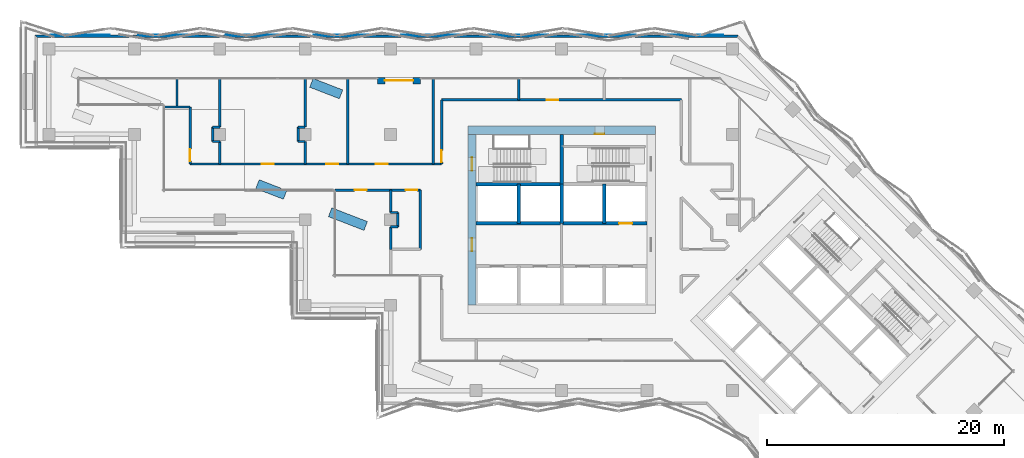
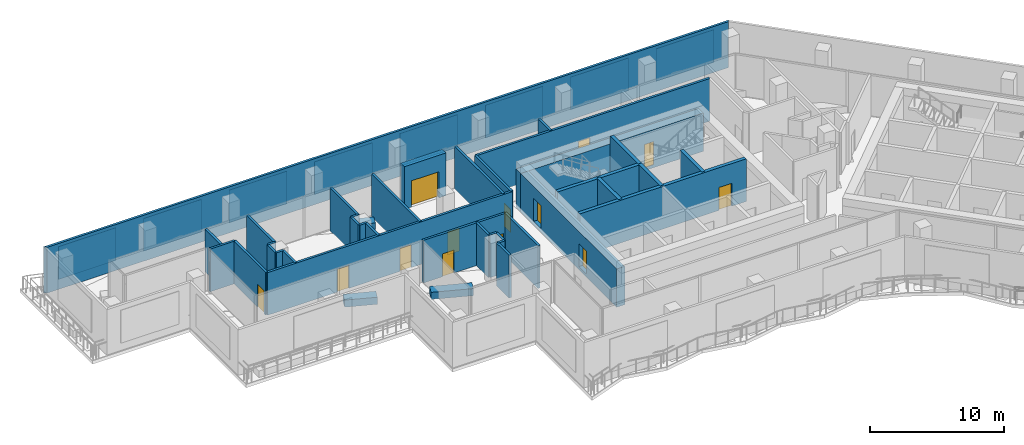
# One storey, part 11 of 23: 39 walls, 13 doors, 8 plates, 13 openings.
"""IFC4 building model written with IfcOpenShell, lengths in metres."""

from ifc_helpers import new_model, si_unit, direction, frame, frame_2d, origin, place, context, subcontext, project, spatial, polyline, rectangle, outline, extrude, material, layer, layer_set, type_object, element, fill, aggregate, save


model = new_model("IFC4")

# Units and contexts
model_context = context("Model", 3, precision=1e-05, world=origin(), true_north=direction((0.0, 1.0)))
body_context = subcontext(model_context, "Body", "Model", "MODEL_VIEW")
ifc_project = project(units=[si_unit("LENGTHUNIT", "METRE"), si_unit("AREAUNIT", "SQUARE_METRE"), si_unit("VOLUMEUNIT", "CUBIC_METRE"), si_unit("PLANEANGLEUNIT", "RADIAN"), si_unit("MASSUNIT", "GRAM", prefix="KILO")], contexts=[model_context])

# Plate
ifc_material_1 = material(Name="Aluminium louvre", Category="aluminium")
ifc_layer_1 = layer(ifc_material_1, 0.05)
ifc_layer_set_1 = layer_set([ifc_layer_1], Name="Belt louvre panel 5000x3000")
plate_type = type_object("IfcPlateType", Name="Belt louvre panel 5000x3000", PredefinedType="SHEET", material=ifc_layer_set_1)
site_placement = place(None, origin())
building_placement = place(site_placement, origin())
storey_placement = place(building_placement, frame((0.0, 0.0, 122.0)))
plate_1_placement = place(storey_placement, frame((78.4421, 73.2, 0.75), z_axis=(0.0, 1.0, 0.0), x_axis=(-1.0, 0.0, 0.0)))
plate_1 = element("IfcPlate", 1, at=plate_1_placement, type_object=plate_type, Name="Belt louvre panel L33 17.1", PredefinedType="SHEET", context=body_context, shape_type="SweptSolid", body=[
    extrude(outline(polyline([(0.0, 0.0), (5.0, 0.0), (5.0, 3.0), (0.0, 3.0), (0.0, 0.0)])), origin(), (0.0, 0.0, -1.0), 0.05),
])

plate_2_placement = place(storey_placement, frame((71.0565, 73.2, 0.75), z_axis=(0.0, 1.0, 0.0), x_axis=(-1.0, 0.0, 0.0)))
plate_2 = element("IfcPlate", 2, at=plate_2_placement, type_object=plate_type, Name="Belt louvre panel L33 18.2", PredefinedType="SHEET", context=body_context, shape_type="SweptSolid", body=[
    extrude(outline(polyline([(0.0, 0.0), (5.0, 0.0), (5.0, 3.0), (0.0, 3.0), (0.0, 0.0)])), origin(), (0.0, 0.0, -1.0), 0.05),
])

plate_3_placement = place(storey_placement, frame((63.6709, 73.2, 0.75), z_axis=(0.0, 1.0, 0.0), x_axis=(-1.0, 0.0, 0.0)))
plate_3 = element("IfcPlate", 3, at=plate_3_placement, type_object=plate_type, Name="Belt louvre panel L33 19.3", PredefinedType="SHEET", context=body_context, shape_type="SweptSolid", body=[
    extrude(outline(polyline([(0.0, 0.0), (5.0, 0.0), (5.0, 3.0), (0.0, 3.0), (0.0, 0.0)])), origin(), (0.0, 0.0, -1.0), 0.05),
])

plate_4_placement = place(storey_placement, frame((56.2852, 73.2, 0.75), z_axis=(0.0, 1.0, 0.0), x_axis=(-1.0, 0.0, 0.0)))
plate_4 = element("IfcPlate", 4, at=plate_4_placement, type_object=plate_type, Name="Belt louvre panel L33 20.4", PredefinedType="SHEET", context=body_context, shape_type="SweptSolid", body=[
    extrude(outline(polyline([(0.0, 0.0), (5.0, 0.0), (5.0, 3.0), (0.0, 3.0), (0.0, 0.0)])), origin(), (0.0, 0.0, -1.0), 0.05),
])

plate_5_placement = place(storey_placement, frame((48.8996, 73.2, 0.75), z_axis=(0.0, 1.0, 0.0), x_axis=(-1.0, 0.0, 0.0)))
plate_5 = element("IfcPlate", 5, at=plate_5_placement, type_object=plate_type, Name="Belt louvre panel L33 21.5", PredefinedType="SHEET", context=body_context, shape_type="SweptSolid", body=[
    extrude(outline(polyline([(0.0, 0.0), (5.0, 0.0), (5.0, 3.0), (0.0, 3.0), (0.0, 0.0)])), origin(), (0.0, 0.0, -1.0), 0.05),
])

plate_6_placement = place(storey_placement, frame((41.514, 73.2, 0.75), z_axis=(0.0, 1.0, 0.0), x_axis=(-1.0, 0.0, 0.0)))
plate_6 = element("IfcPlate", 6, at=plate_6_placement, type_object=plate_type, Name="Belt louvre panel L33 22.6", PredefinedType="SHEET", context=body_context, shape_type="SweptSolid", body=[
    extrude(outline(polyline([(0.0, 0.0), (5.0, 0.0), (5.0, 3.0), (0.0, 3.0), (0.0, 0.0)])), origin(), (0.0, 0.0, -1.0), 0.05),
])

plate_7_placement = place(storey_placement, frame((34.1284, 73.2, 0.75), z_axis=(0.0, 1.0, 0.0), x_axis=(-1.0, 0.0, 0.0)))
plate_7 = element("IfcPlate", 7, at=plate_7_placement, type_object=plate_type, Name="Belt louvre panel L33 23.7", PredefinedType="SHEET", context=body_context, shape_type="SweptSolid", body=[
    extrude(outline(polyline([(0.0, 0.0), (5.0, 0.0), (5.0, 3.0), (0.0, 3.0), (0.0, 0.0)])), origin(), (0.0, 0.0, -1.0), 0.05),
])

plate_8_placement = place(storey_placement, frame((26.7428, 73.2, 0.75), z_axis=(0.0, 1.0, 0.0), x_axis=(-1.0, 0.0, 0.0)))
plate_8 = element("IfcPlate", 8, at=plate_8_placement, type_object=plate_type, Name="Belt louvre panel L33 24.8", PredefinedType="SHEET", context=body_context, shape_type="SweptSolid", body=[
    extrude(outline(polyline([(0.0, 0.0), (5.0, 0.0), (5.0, 3.0), (0.0, 3.0), (0.0, 0.0)])), origin(), (0.0, 0.0, -1.0), 0.05),
])

# Site, building, storey
site = spatial("IfcSite", under=ifc_project, at=site_placement, CompositionType="ELEMENT")
building = spatial("IfcBuilding", under=site, at=building_placement, Name="Windrow Commons", CompositionType="ELEMENT")
storey = spatial("IfcBuildingStorey", under=building, at=storey_placement, Name="L33", CompositionType="ELEMENT", Elevation=122.0)

# Wall
ifc_material_2 = material(Name="Concrete C40/50 precast screen panel", Category="concrete")
ifc_layer_2 = layer(ifc_material_2, 0.2)
ifc_layer_set_2 = layer_set([ifc_layer_2], Name="Belt screen wall 200")
wall_type_1 = type_object("IfcWallType", Name="Belt screen wall 200", PredefinedType="SOLIDWALL", material=ifc_layer_set_2)
wall_1_placement = place(storey_placement, frame((79.6349, 73.05, 0.0), z_axis=(0.0, 0.0, 1.0), x_axis=(-1.0, 0.0, 0.0)))
wall_1 = element("IfcWall", 9, at=wall_1_placement, inside=storey, type_object=wall_type_1, Name="Belt screen wall L33 17", PredefinedType="SOLIDWALL", context=body_context, shape_type="SweptSolid", body=[
    extrude(outline(polyline([(-0.0414, -0.1), (59.1849, -0.1), (58.9849, 0.1), (0.0414, 0.1), (-0.0414, -0.1)])), origin(), (0.0, 0.0, 1.0), 4.2),
])

aggregate(wall_1, [plate_1, plate_2, plate_3, plate_4, plate_5, plate_6, plate_7, plate_8])

# Wall, opening, door
ifc_material_3 = material(Name="Brick masonry, red clay brick", Category="masonry")
ifc_layer_3 = layer(ifc_material_3, 0.55)
ifc_layer_set_3 = layer_set([ifc_layer_3], Name="Brick facade wall 550")
wall_type_2 = type_object("IfcWallType", Name="Brick facade wall 550", PredefinedType="SOLIDWALL", material=ifc_layer_set_3)
wall_2_placement = place(storey_placement, frame((52.9029, 69.325, 0.0), z_axis=(0.0, 0.0, 1.0), x_axis=(-1.0, 0.0, 0.0)))
wall_2 = element("IfcWall", 10, at=wall_2_placement, inside=storey, type_object=wall_type_2, Name="Brick facade wall L33 door pier 4", PredefinedType="SOLIDWALL", context=body_context, shape_type="SweptSolid", body=[
    extrude(rectangle(XDim=3.6, YDim=0.55, at=frame_2d((1.8, 0.0))), origin(), (0.0, 0.0, 1.0), 3.9),
])
opening_1_placement = place(wall_2_placement, frame((0.6, 0.0, 0.0)))
opening_1 = element("IfcOpeningElement", 11, at=opening_1_placement, cuts=wall_2, Name="Opening TD6", PredefinedType="OPENING", context=body_context, shape_type="SweptSolid", body=[
    extrude(rectangle(XDim=2.4, YDim=2.4, at=frame_2d((1.2, 1.2))), frame((0.0, 0.285, 0.0), z_axis=(0.0, -1.0, 0.0), x_axis=(1.0, 0.0, 0.0)), (0.0, 0.0, 1.0), 0.57),
])
ifc_material_4 = material(Name="Aluminium 6063-T6 anodised frame with clear glass", Category="aluminium")
door_type_1 = type_object("IfcDoorType", Name="Terrace door TD6 2400x2400", OperationType="DOUBLE_DOOR_SINGLE_SWING", PredefinedType="DOOR", material=ifc_material_4)
door_1_placement = place(opening_1_placement, origin())
door_1 = element("IfcDoor", 12, at=door_1_placement, inside=storey, type_object=door_type_1, Name="Terrace door L33 4.1", OperationType="SINGLE_SWING_LEFT", OverallHeight=2.4, OverallWidth=2.4, PredefinedType="DOOR", context=body_context, shape_type="SweptSolid", body=[
    extrude(rectangle(XDim=2.4, YDim=2.4, at=frame_2d((1.2, 1.2))), frame((0.0, 0.025, 0.0), z_axis=(0.0, -1.0, 0.0), x_axis=(1.0, 0.0, 0.0)), (0.0, 0.0, 1.0), 0.05),
])
fill(opening_1, door_1)

# Wall, openings, doors
ifc_material_5 = material(Name="Blockwork partition", Category="masonry")
ifc_layer_4 = layer(ifc_material_5, 0.2)
ifc_layer_set_4 = layer_set([ifc_layer_4], Name="IW-CORRIDOR-200")
wall_type_3 = type_object("IfcWallType", Name="IW-CORRIDOR-200", PredefinedType="PARTITIONING", material=ifc_layer_set_4)
wall_3_placement = place(storey_placement, frame((33.502, 62.3, 0.0), z_axis=(0.0, 0.0, 1.0), x_axis=(1.0, 0.0, 0.0)))
wall_3 = element("IfcWall", 13, at=wall_3_placement, inside=storey, type_object=wall_type_3, Name="W-L33-W000", PredefinedType="PARTITIONING", context=body_context, shape_type="SweptSolid", body=[
    extrude(rectangle(XDim=21.198, YDim=0.2, at=frame_2d((10.599, 0.0))), origin(), (0.0, 0.0, 1.0), 3.9),
])
opening_2_placement = place(wall_3_placement, frame((6.0555, 0.0, 0.0)))
opening_2 = element("IfcOpeningElement", 14, at=opening_2_placement, cuts=wall_3, Name="Opening D310F", PredefinedType="OPENING", context=body_context, shape_type="SweptSolid", body=[
    extrude(rectangle(XDim=1.0, YDim=2.1, at=frame_2d((0.5, 1.05))), frame((0.0, 0.11, 0.0), z_axis=(0.0, -1.0, 0.0), x_axis=(1.0, 0.0, 0.0)), (0.0, 0.0, 1.0), 0.22),
])
opening_3_placement = place(wall_3_placement, frame((11.463, 0.0, 0.0)))
opening_3 = element("IfcOpeningElement", 15, at=opening_3_placement, cuts=wall_3, Name="Opening D310F", PredefinedType="OPENING", context=body_context, shape_type="SweptSolid", body=[
    extrude(rectangle(XDim=1.0, YDim=2.1, at=frame_2d((0.5, 1.05))), frame((0.0, 0.11, 0.0), z_axis=(0.0, -1.0, 0.0), x_axis=(1.0, 0.0, 0.0)), (0.0, 0.0, 1.0), 0.22),
])
opening_4_placement = place(wall_3_placement, frame((15.6355, 0.0, 0.0)))
opening_4 = element("IfcOpeningElement", 16, at=opening_4_placement, cuts=wall_3, Name="Opening D310F", PredefinedType="OPENING", context=body_context, shape_type="SweptSolid", body=[
    extrude(rectangle(XDim=1.0, YDim=2.1, at=frame_2d((0.5, 1.05))), frame((0.0, 0.11, 0.0), z_axis=(0.0, -1.0, 0.0), x_axis=(1.0, 0.0, 0.0)), (0.0, 0.0, 1.0), 0.22),
])
ifc_material_6 = material(Name="Timber door leaf", Category="wood")
door_type_2 = type_object("IfcDoorType", Name="DT-AMENITY-1000", OperationType="SINGLE_SWING_LEFT", PredefinedType="DOOR", material=ifc_material_6)
door_2_placement = place(opening_2_placement, origin())
door_2 = element("IfcDoor", 17, at=door_2_placement, inside=storey, type_object=door_type_2, Name="D-L33-D006", OperationType="SINGLE_SWING_RIGHT", OverallHeight=2.1, OverallWidth=1.0, PredefinedType="DOOR", context=body_context, shape_type="SweptSolid", body=[
    extrude(rectangle(XDim=1.0, YDim=2.1, at=frame_2d((0.5, 1.05))), frame((0.0, 0.025, 0.0), z_axis=(0.0, -1.0, 0.0), x_axis=(1.0, 0.0, 0.0)), (0.0, 0.0, 1.0), 0.05),
])
fill(opening_2, door_2)
door_3_placement = place(opening_3_placement, origin())
door_3 = element("IfcDoor", 18, at=door_3_placement, inside=storey, type_object=door_type_2, Name="D-L33-D007", OperationType="SINGLE_SWING_RIGHT", OverallHeight=2.1, OverallWidth=1.0, PredefinedType="DOOR", context=body_context, shape_type="SweptSolid", body=[
    extrude(rectangle(XDim=1.0, YDim=2.1, at=frame_2d((0.5, 1.05))), frame((0.0, 0.025, 0.0), z_axis=(0.0, -1.0, 0.0), x_axis=(1.0, 0.0, 0.0)), (0.0, 0.0, 1.0), 0.05),
])
fill(opening_3, door_3)
door_4_placement = place(opening_4_placement, origin())
door_4 = element("IfcDoor", 19, at=door_4_placement, inside=storey, type_object=door_type_2, Name="D-L33-D008", OperationType="SINGLE_SWING_LEFT", OverallHeight=2.1, OverallWidth=1.0, PredefinedType="DOOR", context=body_context, shape_type="SweptSolid", body=[
    extrude(rectangle(XDim=1.0, YDim=2.1, at=frame_2d((0.5, 1.05))), frame((0.0, 0.025, 0.0), z_axis=(0.0, -1.0, 0.0), x_axis=(1.0, 0.0, 0.0)), (0.0, 0.0, 1.0), 0.05),
])
fill(opening_4, door_4)

# Wall, opening, door
wall_4_placement = place(storey_placement, frame((54.7, 67.7, 0.0), z_axis=(0.0, 0.0, 1.0), x_axis=(1.0, 0.0, 0.0)))
wall_4 = element("IfcWall", 20, at=wall_4_placement, inside=storey, type_object=wall_type_3, Name="W-L33-W001", PredefinedType="PARTITIONING", context=body_context, shape_type="SweptSolid", body=[
    extrude(rectangle(XDim=20.2, YDim=0.2, at=frame_2d((10.1, 0.0))), origin(), (0.0, 0.0, 1.0), 3.9),
])
opening_5_placement = place(wall_4_placement, frame((8.8375, 0.0, 0.0)))
opening_5 = element("IfcOpeningElement", 21, at=opening_5_placement, cuts=wall_4, Name="Opening D310F", PredefinedType="OPENING", context=body_context, shape_type="SweptSolid", body=[
    extrude(rectangle(XDim=1.0, YDim=2.1, at=frame_2d((0.5, 1.05))), frame((0.0, 0.11, 0.0), z_axis=(0.0, -1.0, 0.0), x_axis=(1.0, 0.0, 0.0)), (0.0, 0.0, 1.0), 0.22),
])
door_5_placement = place(opening_5_placement, origin())
door_5 = element("IfcDoor", 22, at=door_5_placement, inside=storey, type_object=door_type_2, Name="D-L33-D011", OperationType="SINGLE_SWING_LEFT", OverallHeight=2.1, OverallWidth=1.0, PredefinedType="DOOR", context=body_context, shape_type="SweptSolid", body=[
    extrude(rectangle(XDim=1.0, YDim=2.1, at=frame_2d((0.5, 1.05))), frame((0.0, 0.025, 0.0), z_axis=(0.0, -1.0, 0.0), x_axis=(1.0, 0.0, 0.0)), (0.0, 0.0, 1.0), 0.05),
])
fill(opening_5, door_5)

# Wall, openings, doors
wall_5_placement = place(storey_placement, frame((45.712, 60.1, 0.0), z_axis=(0.0, 0.0, 1.0), x_axis=(1.0, 0.0, 0.0)))
wall_5 = element("IfcWall", 23, at=wall_5_placement, inside=storey, type_object=wall_type_3, Name="W-L33-W005", PredefinedType="PARTITIONING", context=body_context, shape_type="SweptSolid", body=[
    extrude(rectangle(XDim=7.188, YDim=0.2, at=frame_2d((3.594, 0.0))), origin(), (0.0, 0.0, 1.0), 3.9),
])
opening_6_placement = place(wall_5_placement, frame((1.659, 0.0, 0.0)))
opening_6 = element("IfcOpeningElement", 24, at=opening_6_placement, cuts=wall_5, Name="Opening D310F", PredefinedType="OPENING", context=body_context, shape_type="SweptSolid", body=[
    extrude(rectangle(XDim=1.0, YDim=2.1, at=frame_2d((0.5, 1.05))), frame((0.0, 0.11, 0.0), z_axis=(0.0, -1.0, 0.0), x_axis=(1.0, 0.0, 0.0)), (0.0, 0.0, 1.0), 0.22),
])
opening_7_placement = place(wall_5_placement, frame((5.9424, 0.0, 0.0)))
opening_7 = element("IfcOpeningElement", 25, at=opening_7_placement, cuts=wall_5, Name="Opening D410F", PredefinedType="OPENING", context=body_context, shape_type="SweptSolid", body=[
    extrude(rectangle(XDim=1.0, YDim=2.1, at=frame_2d((0.5, 1.05))), frame((0.0, 0.11, 0.0), z_axis=(0.0, -1.0, 0.0), x_axis=(1.0, 0.0, 0.0)), (0.0, 0.0, 1.0), 0.22),
])
door_6_placement = place(opening_6_placement, origin())
door_6 = element("IfcDoor", 26, at=door_6_placement, inside=storey, type_object=door_type_2, Name="D-L33-D000", OperationType="SINGLE_SWING_LEFT", OverallHeight=2.1, OverallWidth=1.0, PredefinedType="DOOR", context=body_context, shape_type="SweptSolid", body=[
    extrude(rectangle(XDim=1.0, YDim=2.1, at=frame_2d((0.5, 1.05))), frame((0.0, 0.025, 0.0), z_axis=(0.0, -1.0, 0.0), x_axis=(1.0, 0.0, 0.0)), (0.0, 0.0, 1.0), 0.05),
])
fill(opening_6, door_6)
ifc_material_7 = material(Name="Timber door leaf", Category="wood")
door_type_3 = type_object("IfcDoorType", Name="DT-SERVICE-1000", OperationType="SINGLE_SWING_LEFT", PredefinedType="DOOR", material=ifc_material_7)
door_7_placement = place(opening_7_placement, origin())
door_7 = element("IfcDoor", 27, at=door_7_placement, inside=storey, type_object=door_type_3, Name="D-L33-D001", OperationType="SINGLE_SWING_LEFT", OverallHeight=2.1, OverallWidth=1.0, PredefinedType="DOOR", context=body_context, shape_type="SweptSolid", body=[
    extrude(rectangle(XDim=1.0, YDim=2.1, at=frame_2d((0.5, 1.05))), frame((0.0, 0.025, 0.0), z_axis=(0.0, -1.0, 0.0), x_axis=(1.0, 0.0, 0.0)), (0.0, 0.0, 1.0), 0.05),
])
fill(opening_7, door_7)

# Wall, opening, door
wall_6_placement = place(storey_placement, frame((54.7, 62.302, 0.0), z_axis=(0.0, 0.0, 1.0), x_axis=(0.0, 1.0, 0.0)))
wall_6 = element("IfcWall", 28, at=wall_6_placement, inside=storey, type_object=wall_type_3, Name="W-L33-W013", PredefinedType="PARTITIONING", context=body_context, shape_type="SweptSolid", body=[
    extrude(rectangle(XDim=5.398, YDim=0.2, at=frame_2d((2.699, 0.0))), origin(), (0.0, 0.0, 1.0), 3.9),
])
opening_8_placement = place(wall_6_placement, frame((0.1544, 0.0, 0.0)))
opening_8 = element("IfcOpeningElement", 29, at=opening_8_placement, cuts=wall_6, Name="Opening D310F", PredefinedType="OPENING", context=body_context, shape_type="SweptSolid", body=[
    extrude(rectangle(XDim=1.0, YDim=2.1, at=frame_2d((0.5, 1.05))), frame((0.0, 0.11, 0.0), z_axis=(0.0, -1.0, 0.0), x_axis=(1.0, 0.0, 0.0)), (0.0, 0.0, 1.0), 0.22),
])
door_8_placement = place(opening_8_placement, origin())
door_8 = element("IfcDoor", 30, at=door_8_placement, inside=storey, type_object=door_type_2, Name="D-L33-D009", OperationType="SINGLE_SWING_LEFT", OverallHeight=2.1, OverallWidth=1.0, PredefinedType="DOOR", context=body_context, shape_type="SweptSolid", body=[
    extrude(rectangle(XDim=1.0, YDim=2.1, at=frame_2d((0.5, 1.05))), frame((0.0, 0.025, 0.0), z_axis=(0.0, -1.0, 0.0), x_axis=(1.0, 0.0, 0.0)), (0.0, 0.0, 1.0), 0.05),
])
fill(opening_8, door_8)

# Wall
wall_7_placement = place(storey_placement, frame((52.9, 55.102, 0.0), z_axis=(0.0, 0.0, 1.0), x_axis=(0.0, 1.0, 0.0)))
element("IfcWall", 31, at=wall_7_placement, inside=storey, type_object=wall_type_3, Name="W-L33-W015", PredefinedType="PARTITIONING", context=body_context, shape_type="SweptSolid", body=[
    extrude(rectangle(XDim=4.998, YDim=0.2, at=frame_2d((2.499, 0.0))), origin(), (0.0, 0.0, 1.0), 3.9),
])

# Wall, opening, door
wall_8_placement = place(storey_placement, frame((33.5, 62.302, 0.0), z_axis=(0.0, 0.0, 1.0), x_axis=(0.0, 1.0, 0.0)))
wall_8 = element("IfcWall", 32, at=wall_8_placement, inside=storey, type_object=wall_type_3, Name="W-L33-W016", PredefinedType="PARTITIONING", context=body_context, shape_type="SweptSolid", body=[
    extrude(rectangle(XDim=4.798, YDim=0.2, at=frame_2d((2.399, 0.0))), origin(), (0.0, 0.0, 1.0), 3.9),
])
opening_9_placement = place(wall_8_placement, frame((0.2425, 0.0, 0.0)))
opening_9 = element("IfcOpeningElement", 33, at=opening_9_placement, cuts=wall_8, Name="Opening D310F", PredefinedType="OPENING", context=body_context, shape_type="SweptSolid", body=[
    extrude(rectangle(XDim=1.0, YDim=2.1, at=frame_2d((0.5, 1.05))), frame((0.0, 0.11, 0.0), z_axis=(0.0, -1.0, 0.0), x_axis=(1.0, 0.0, 0.0)), (0.0, 0.0, 1.0), 0.22),
])
door_9_placement = place(opening_9_placement, origin())
door_9 = element("IfcDoor", 34, at=door_9_placement, inside=storey, type_object=door_type_2, Name="D-L33-D005", OperationType="SINGLE_SWING_LEFT", OverallHeight=2.1, OverallWidth=1.0, PredefinedType="DOOR", context=body_context, shape_type="SweptSolid", body=[
    extrude(rectangle(XDim=1.0, YDim=2.1, at=frame_2d((0.5, 1.05))), frame((0.0, 0.025, 0.0), z_axis=(0.0, -1.0, 0.0), x_axis=(1.0, 0.0, 0.0)), (0.0, 0.0, 1.0), 0.05),
])
fill(opening_9, door_9)

# Walls
wall_9_placement = place(storey_placement, frame((31.33, 67.1, 0.0), z_axis=(0.0, 0.0, 1.0), x_axis=(1.0, 0.0, 0.0)))
element("IfcWall", 35, at=wall_9_placement, inside=storey, type_object=wall_type_3, Name="W-L33-W030", PredefinedType="PARTITIONING", context=body_context, shape_type="SweptSolid", body=[
    extrude(rectangle(XDim=2.17, YDim=0.2, at=frame_2d((1.085, 0.0))), origin(), (0.0, 0.0, 1.0), 3.9),
])
ifc_material_8 = material(Name="Blockwork partition", Category="masonry")
ifc_layer_5 = layer(ifc_material_8, 0.2)
ifc_layer_set_5 = layer_set([ifc_layer_5], Name="IW-PARTY-200")
wall_type_4 = type_object("IfcWallType", Name="IW-PARTY-200", PredefinedType="PARTITIONING", material=ifc_layer_set_5)
for number, where, z_axis, x_axis, name in (
    (36, (46.8, 62.3, 0.0), (0.0, 0.0, 1.0), (0.0, 1.0, 0.0), "W-L33-W007"),
    (37, (54.0, 62.3, 0.0), (0.0, 0.0, 1.0), (0.0, 1.0, 0.0), "W-L33-W008"),
):
    element("IfcWall", number, at=place(storey_placement, frame(where, z_axis=z_axis, x_axis=x_axis)), inside=storey, type_object=wall_type_4, Name=name, PredefinedType="PARTITIONING", context=body_context, shape_type="SweptSolid", body=[
        extrude(rectangle(XDim=7.17, YDim=0.2, at=frame_2d((3.585, 0.0))), origin(), (0.0, 0.0, 1.0), 3.9),
    ])
for number, where, z_axis, x_axis, name in (
    (38, (36.0, 65.404, 0.0), (0.0, 0.0, 1.0), (0.0, 1.0, 0.0), "W-L33-W018"),
    (39, (43.2, 65.404, 0.0), (0.0, 0.0, 1.0), (0.0, 1.0, 0.0), "W-L33-W019"),
):
    element("IfcWall", number, at=place(storey_placement, frame(where, z_axis=z_axis, x_axis=x_axis)), inside=storey, type_object=wall_type_4, Name=name, PredefinedType="PARTITIONING", context=body_context, shape_type="SweptSolid", body=[
        extrude(rectangle(XDim=4.066, YDim=0.2, at=frame_2d((2.033, 0.0))), origin(), (0.0, 0.0, 1.0), 3.9),
    ])
wall_10_placement = place(storey_placement, frame((32.4, 67.1, 0.0), z_axis=(0.0, 0.0, 1.0), x_axis=(0.0, 1.0, 0.0)))
element("IfcWall", 40, at=wall_10_placement, inside=storey, type_object=wall_type_4, Name="W-L33-W026", PredefinedType="PARTITIONING", context=body_context, shape_type="SweptSolid", body=[
    extrude(rectangle(XDim=2.37, YDim=0.2, at=frame_2d((1.185, 0.0))), origin(), (0.0, 0.0, 1.0), 3.9),
])
for number, where, z_axis, x_axis, name in (
    (41, (36.0, 62.3, 0.0), (0.0, 0.0, 1.0), (0.0, 1.0, 0.0), "W-L33-W033"),
    (42, (43.2, 62.3, 0.0), (0.0, 0.0, 1.0), (0.0, 1.0, 0.0), "W-L33-W034"),
    (43, (50.4, 55.1, 0.0), (0.0, 0.0, 1.0), (0.0, 1.0, 0.0), "W-L33-W035"),
):
    element("IfcWall", number, at=place(storey_placement, frame(where, z_axis=z_axis, x_axis=x_axis)), inside=storey, type_object=wall_type_4, Name=name, PredefinedType="PARTITIONING", context=body_context, shape_type="SweptSolid", body=[
        extrude(rectangle(XDim=1.896, YDim=0.2, at=frame_2d((0.948, 0.0))), origin(), (0.0, 0.0, 1.0), 3.9),
    ])
wall_11_placement = place(storey_placement, frame((50.4, 58.206, 0.0), z_axis=(0.0, 0.0, 1.0), x_axis=(0.0, 1.0, 0.0)))
element("IfcWall", 44, at=wall_11_placement, inside=storey, type_object=wall_type_4, Name="W-L33-W036", PredefinedType="PARTITIONING", context=body_context, shape_type="SweptSolid", body=[
    extrude(rectangle(XDim=1.894, YDim=0.2, at=frame_2d((0.947, 0.0))), origin(), (0.0, 0.0, 1.0), 3.9),
])
wall_12_placement = place(storey_placement, frame((61.2, 67.7, 0.0), z_axis=(0.0, 0.0, 1.0), x_axis=(0.0, 1.0, 0.0)))
element("IfcWall", 45, at=wall_12_placement, inside=storey, type_object=wall_type_4, Name="W-L33-W041", PredefinedType="PARTITIONING", context=body_context, shape_type="SweptSolid", body=[
    extrude(rectangle(XDim=1.77, YDim=0.2, at=frame_2d((0.885, 0.0))), origin(), (0.0, 0.0, 1.0), 3.9),
])
wall_13_placement = place(storey_placement, frame((51.0, 56.996, 0.0), z_axis=(0.0, 0.0, 1.0), x_axis=(0.0, 1.0, 0.0)))
element("IfcWall", 46, at=wall_13_placement, inside=storey, type_object=wall_type_4, Name="W-L33-W049", PredefinedType="PARTITIONING", context=body_context, shape_type="SweptSolid", body=[
    extrude(rectangle(XDim=1.21, YDim=0.2, at=frame_2d((0.605, 0.0))), origin(), (0.0, 0.0, 1.0), 3.9),
])
for number, where, z_axis, x_axis, name in (
    (47, (35.4, 64.196, 0.0), (0.0, 0.0, 1.0), (0.0, 1.0, 0.0), "W-L33-W050"),
    (48, (42.6, 64.196, 0.0), (0.0, 0.0, 1.0), (0.0, 1.0, 0.0), "W-L33-W051"),
):
    element("IfcWall", number, at=place(storey_placement, frame(where, z_axis=z_axis, x_axis=x_axis)), inside=storey, type_object=wall_type_4, Name=name, PredefinedType="PARTITIONING", context=body_context, shape_type="SweptSolid", body=[
        extrude(rectangle(XDim=1.208, YDim=0.2, at=frame_2d((0.604, 0.0))), origin(), (0.0, 0.0, 1.0), 3.9),
    ])
for number, where, z_axis, x_axis, name in (
    (49, (35.4, 65.4, 0.0), (0.0, 0.0, 1.0), (1.0, 0.0, 0.0), "W-L33-W058"),
    (50, (42.6, 65.4, 0.0), (0.0, 0.0, 1.0), (1.0, 0.0, 0.0), "W-L33-W059"),
    (51, (35.4, 64.2, 0.0), (0.0, 0.0, 1.0), (1.0, 0.0, 0.0), "W-L33-W060"),
    (52, (42.6, 64.2, 0.0), (0.0, 0.0, 1.0), (1.0, 0.0, 0.0), "W-L33-W061"),
    (53, (50.4, 58.21, 0.0), (0.0, 0.0, 1.0), (1.0, 0.0, 0.0), "W-L33-W062"),
    (54, (50.4, 57.0, 0.0), (0.0, 0.0, 1.0), (1.0, 0.0, 0.0), "W-L33-W063"),
):
    element("IfcWall", number, at=place(storey_placement, frame(where, z_axis=z_axis, x_axis=x_axis)), inside=storey, type_object=wall_type_4, Name=name, PredefinedType="PARTITIONING", context=body_context, shape_type="SweptSolid", body=[
        extrude(rectangle(XDim=0.6, YDim=0.2, at=frame_2d((0.3, 0.0))), origin(), (0.0, 0.0, 1.0), 3.9),
    ])
ifc_material_9 = material(Name="Concrete C30/37 planter wall", Category="concrete")
ifc_layer_6 = layer(ifc_material_9, 0.8)
ifc_layer_set_6 = layer_set([ifc_layer_6], Name="Planter 800x600")
wall_type_5 = type_object("IfcWallType", Name="Planter 800x600", PredefinedType="SOLIDWALL", material=ifc_layer_set_6)
wall_14_placement = place(storey_placement, frame((46.2235, 68.1691, 0.0), z_axis=(0.0, 0.0, 1.0), x_axis=(-0.9328058207, 0.3603793848, 0.0)))
element("IfcWall", 55, at=wall_14_placement, inside=storey, type_object=wall_type_5, Name="PLANTER TR-L33-1 bed 7", PredefinedType="SOLIDWALL", context=body_context, shape_type="SweptSolid", body=[
    extrude(rectangle(XDim=2.6838, YDim=0.8, at=frame_2d((1.3419, 0.0))), origin(), (0.0, 0.0, 1.0), 0.65),
])
wall_15_placement = place(storey_placement, frame((48.3, 57.0755, 0.0), z_axis=(0.0, 0.0, 1.0), x_axis=(-0.932818089, 0.3603476278, 0.0)))
element("IfcWall", 56, at=wall_15_placement, inside=storey, type_object=wall_type_5, Name="PLANTER TR-L33-1 bed 14", PredefinedType="SOLIDWALL", context=body_context, shape_type="SweptSolid", body=[
    extrude(rectangle(XDim=3.2161, YDim=0.8, at=frame_2d((1.608, 0.0))), origin(), (0.0, 0.0, 1.0), 0.65),
])
wall_16_placement = place(storey_placement, frame((41.5065, 59.7, 0.0), z_axis=(0.0, 0.0, 1.0), x_axis=(-0.9328131239, 0.3603604805, 0.0)))
element("IfcWall", 57, at=wall_16_placement, inside=storey, type_object=wall_type_5, Name="PLANTER TR-L33-1 bed 15", PredefinedType="SOLIDWALL", context=body_context, shape_type="SweptSolid", body=[
    extrude(outline(polyline([(0.0, -0.4), (2.4975, -0.4), (2.4975, 0.4), (0.0, 0.4), (0.0, -0.4)])), origin(), (0.0, 0.0, 1.0), 0.65),
])

# Wall, opening, door
ifc_material_10 = material(Name="Concrete C50/60", Category="concrete")
ifc_layer_7 = layer(ifc_material_10, 0.7)
ifc_layer_set_7 = layer_set([ifc_layer_7], Name="RC CORE WALL 700 C50/60")
wall_type_6 = type_object("IfcWallType", Name="RC CORE WALL 700 C50/60", PredefinedType="SHEAR", material=ifc_layer_set_7)
wall_17_placement = place(storey_placement, frame((56.9, 65.15, -0.3), z_axis=(0.0, 0.0, 1.0), x_axis=(1.0, 0.0, 0.0)))
wall_17 = element("IfcWall", 58, at=wall_17_placement, inside=storey, type_object=wall_type_6, Name="Core A wall outer-N", PredefinedType="SHEAR", context=body_context, shape_type="SweptSolid", body=[
    extrude(rectangle(XDim=15.8, YDim=0.7, at=frame_2d((7.9, 0.0))), origin(), (0.0, 0.0, 1.0), 3.5),
])
opening_10_placement = place(wall_17_placement, frame((10.7, 0.0, 0.3)))
opening_10 = element("IfcOpeningElement", 59, at=opening_10_placement, cuts=wall_17, Name="Opening D9", PredefinedType="OPENING", context=body_context, shape_type="SweptSolid", body=[
    extrude(rectangle(XDim=0.8, YDim=2.1, at=frame_2d((0.4, 1.05))), frame((0.0, 0.36, 0.0), z_axis=(0.0, -1.0, 0.0), x_axis=(1.0, 0.0, 0.0)), (0.0, 0.0, 1.0), 0.72),
])
ifc_material_11 = material(Name="Steel fire door leaf", Category="steel")
door_type_4 = type_object("IfcDoorType", Name="Riser access door 800", OperationType="SINGLE_SWING_LEFT", PredefinedType="DOOR", material=ifc_material_11)
door_10_placement = place(opening_10_placement, origin())
door_10 = element("IfcDoor", 60, at=door_10_placement, inside=storey, type_object=door_type_4, Name="Riser access door", OperationType="SINGLE_SWING_RIGHT", OverallHeight=2.1, OverallWidth=0.8, PredefinedType="DOOR", context=body_context, shape_type="SweptSolid", body=[
    extrude(rectangle(XDim=0.8, YDim=2.1, at=frame_2d((0.4, 1.05))), frame((0.0, -0.29, 0.0), z_axis=(0.0, -1.0, 0.0), x_axis=(1.0, 0.0, 0.0)), (0.0, 0.0, 1.0), 0.05),
])
fill(opening_10, door_10)

# Wall, openings, doors
wall_18_placement = place(storey_placement, frame((57.25, 50.4, -0.3), z_axis=(0.0, 0.0, 1.0), x_axis=(0.0, 1.0, 0.0)))
wall_18 = element("IfcWall", 61, at=wall_18_placement, inside=storey, type_object=wall_type_6, Name="Core A wall outer-W", PredefinedType="SHEAR", context=body_context, shape_type="SweptSolid", body=[
    extrude(rectangle(XDim=14.4, YDim=0.7, at=frame_2d((7.2, 0.0))), origin(), (0.0, 0.0, 1.0), 3.5),
])
opening_11_placement = place(wall_18_placement, frame((4.55, 0.0, 0.3)))
opening_11 = element("IfcOpeningElement", 62, at=opening_11_placement, cuts=wall_18, Name="Opening D6", PredefinedType="OPENING", context=body_context, shape_type="SweptSolid", body=[
    extrude(rectangle(XDim=1.1, YDim=2.1, at=frame_2d((0.55, 1.05))), frame((0.0, 0.36, 0.0), z_axis=(0.0, -1.0, 0.0), x_axis=(1.0, 0.0, 0.0)), (0.0, 0.0, 1.0), 0.72),
])
opening_12_placement = place(wall_18_placement, frame((11.35, 0.0, 0.3)))
opening_12 = element("IfcOpeningElement", 63, at=opening_12_placement, cuts=wall_18, Name="Opening D7", PredefinedType="OPENING", context=body_context, shape_type="SweptSolid", body=[
    extrude(rectangle(XDim=1.1, YDim=2.1, at=frame_2d((0.55, 1.05))), frame((0.0, 0.36, 0.0), z_axis=(0.0, -1.0, 0.0), x_axis=(1.0, 0.0, 0.0)), (0.0, 0.0, 1.0), 0.72),
])
ifc_material_12 = material(Name="Steel fire door leaf", Category="steel")
door_type_5 = type_object("IfcDoorType", Name="Core lobby door 1100", OperationType="SINGLE_SWING_LEFT", PredefinedType="DOOR", material=ifc_material_12)
door_11_placement = place(opening_11_placement, origin())
door_11 = element("IfcDoor", 64, at=door_11_placement, inside=storey, type_object=door_type_5, Name="Lift lobby door", OperationType="DOUBLE_DOOR_SINGLE_SWING", OverallHeight=2.1, OverallWidth=1.1, PredefinedType="DOOR", context=body_context, shape_type="SweptSolid", body=[
    extrude(rectangle(XDim=1.1, YDim=2.1, at=frame_2d((0.55, 1.05))), frame((0.0, 0.025, 0.0), z_axis=(0.0, -1.0, 0.0), x_axis=(1.0, 0.0, 0.0)), (0.0, 0.0, 1.0), 0.05),
])
fill(opening_11, door_11)
ifc_material_13 = material(Name="Steel fire door leaf", Category="steel")
door_type_6 = type_object("IfcDoorType", Name="Stair door 1100", OperationType="SINGLE_SWING_LEFT", PredefinedType="DOOR", material=ifc_material_13)
door_12_placement = place(opening_12_placement, origin())
door_12 = element("IfcDoor", 65, at=door_12_placement, inside=storey, type_object=door_type_6, Name="Stair door", OperationType="SINGLE_SWING_LEFT", OverallHeight=2.1, OverallWidth=1.1, PredefinedType="DOOR", context=body_context, shape_type="SweptSolid", body=[
    extrude(rectangle(XDim=1.1, YDim=2.1, at=frame_2d((0.55, 1.05))), frame((0.0, 0.025, 0.0), z_axis=(0.0, -1.0, 0.0), x_axis=(1.0, 0.0, 0.0)), (0.0, 0.0, 1.0), 0.05),
])
fill(opening_12, door_12)

# Walls
ifc_material_14 = material(Name="Concrete C50/60", Category="concrete")
ifc_layer_8 = layer(ifc_material_14, 0.3)
ifc_layer_set_8 = layer_set([ifc_layer_8], Name="RC SHAFT WALL 300 C50/60")
wall_type_7 = type_object("IfcWallType", Name="RC SHAFT WALL 300 C50/60", PredefinedType="SOLIDWALL", material=ifc_layer_set_8)
for number, where, z_axis, x_axis, name in (
    (66, (61.2, 57.3, 0.0), (0.0, 0.0, 1.0), (0.0, 1.0, 0.0), "Core A wall shaft-N1"),
    (67, (64.8, 57.3, 0.0), (0.0, 0.0, 1.0), (0.0, 1.0, 0.0), "Core A wall shaft-N2"),
    (68, (68.4, 57.3, 0.0), (0.0, 0.0, 1.0), (0.0, 1.0, 0.0), "Core A wall shaft-N3"),
):
    element("IfcWall", number, at=place(storey_placement, frame(where, z_axis=z_axis, x_axis=x_axis)), inside=storey, type_object=wall_type_7, Name=name, PredefinedType="SOLIDWALL", context=body_context, shape_type="SweptSolid", body=[
        extrude(rectangle(XDim=3.3, YDim=0.3, at=frame_2d((1.65, 0.0))), origin(), (0.0, 0.0, 1.0), 3.9),
    ])

# Wall, opening, door
wall_19_placement = place(storey_placement, frame((57.6, 57.3, 0.0), z_axis=(0.0, 0.0, 1.0), x_axis=(1.0, 0.0, 0.0)))
wall_19 = element("IfcWall", 69, at=wall_19_placement, inside=storey, type_object=wall_type_7, Name="Core A wall lobby-N", PredefinedType="SOLIDWALL", context=body_context, shape_type="SweptSolid", body=[
    extrude(rectangle(XDim=14.4, YDim=0.3, at=frame_2d((7.2, 0.0))), origin(), (0.0, 0.0, 1.0), 3.9),
])
opening_13_placement = place(wall_19_placement, frame((12.05, 0.0, 0.0)))
opening_13 = element("IfcOpeningElement", 70, at=opening_13_placement, cuts=wall_19, Name="Opening LD", PredefinedType="OPENING", context=body_context, shape_type="SweptSolid", body=[
    extrude(rectangle(XDim=1.1, YDim=2.1, at=frame_2d((0.55, 1.05))), frame((0.0, 0.16, 0.0), z_axis=(0.0, -1.0, 0.0), x_axis=(1.0, 0.0, 0.0)), (0.0, 0.0, 1.0), 0.32),
])
ifc_material_15 = material(Name="Stainless steel door leaf", Category="steel")
door_type_7 = type_object("IfcDoorType", Name="Lift landing door 1100", OperationType="SLIDING_TO_LEFT", PredefinedType="DOOR", material=ifc_material_15)
door_13_placement = place(opening_13_placement, origin())
door_13 = element("IfcDoor", 71, at=door_13_placement, inside=storey, type_object=door_type_7, Name="Lift landing door", OperationType="SLIDING_TO_RIGHT", OverallHeight=2.1, OverallWidth=1.1, PredefinedType="DOOR", context=body_context, shape_type="SweptSolid", body=[
    extrude(rectangle(XDim=1.1, YDim=2.1, at=frame_2d((0.55, 1.05))), frame((0.0, 0.025, 0.0), z_axis=(0.0, -1.0, 0.0), x_axis=(1.0, 0.0, 0.0)), (0.0, 0.0, 1.0), 0.05),
])
fill(opening_13, door_13)

# Walls
wall_20_placement = place(storey_placement, frame((57.6, 60.6, 0.0), z_axis=(0.0, 0.0, 1.0), x_axis=(1.0, 0.0, 0.0)))
element("IfcWall", 72, at=wall_20_placement, inside=storey, type_object=wall_type_7, Name="Core A wall stair-S", PredefinedType="SOLIDWALL", context=body_context, shape_type="SweptSolid", body=[
    extrude(rectangle(XDim=7.2, YDim=0.3, at=frame_2d((3.6, 0.0))), origin(), (0.0, 0.0, 1.0), 3.9),
])
wall_21_placement = place(storey_placement, frame((64.8, 60.6, 0.0), z_axis=(0.0, 0.0, 1.0), x_axis=(0.0, 1.0, 0.0)))
element("IfcWall", 73, at=wall_21_placement, inside=storey, type_object=wall_type_7, Name="Core A wall stair-mid", PredefinedType="SOLIDWALL", context=body_context, shape_type="SweptSolid", body=[
    extrude(rectangle(XDim=4.2, YDim=0.3, at=frame_2d((2.1, 0.0))), origin(), (0.0, 0.0, 1.0), 3.9),
])

save(model, "model.ifc")
